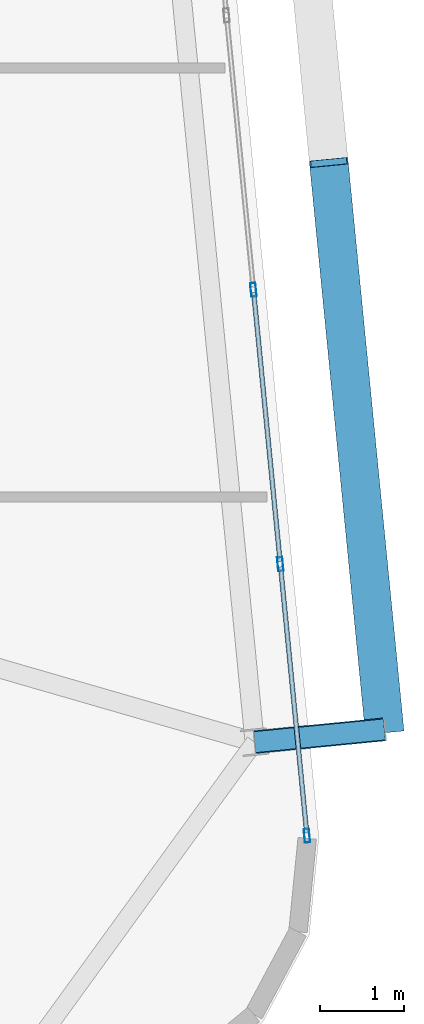
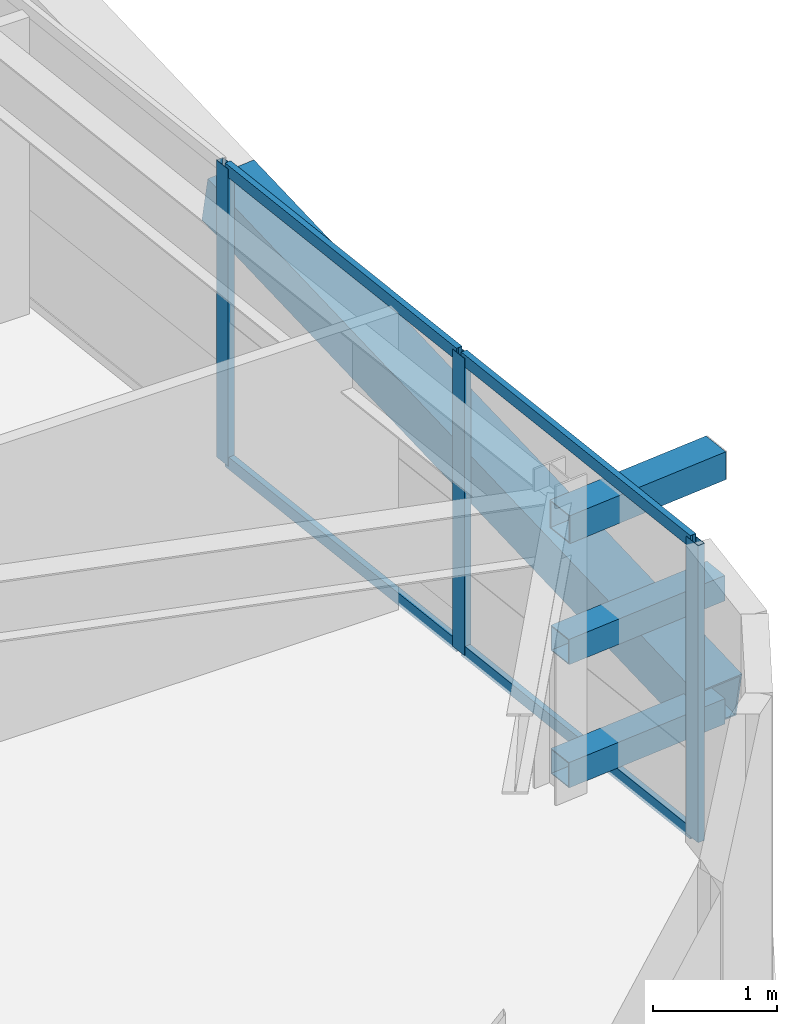
# One storey, part 22 of 53: 11 members, 1 element without a shape of its own.
"""IFC4 building model written with IfcOpenShell, lengths in metres."""

from ifc_helpers import new_model, si_unit, direction, frame, origin, origin_2d, place, context, subcontext, project, spatial, hollow_rectangle, extrude, source, transform, mapped, material, layer, layer_set, material_profile, profile_set, type_object, element, aggregate, save


model = new_model("IFC4")

# Units and contexts
model_context = context("Model", 3, precision=1e-05, world=origin(), true_north=direction((0.0, 1.0)))
body_context = subcontext(model_context, "Body", "Model", "MODEL_VIEW")
ifc_project = project(units=[si_unit("LENGTHUNIT", "METRE"), si_unit("AREAUNIT", "SQUARE_METRE"), si_unit("VOLUMEUNIT", "CUBIC_METRE"), si_unit("PLANEANGLEUNIT", "RADIAN"), si_unit("MASSUNIT", "GRAM", prefix="KILO")], contexts=[model_context])

# Site, building, storey
site_placement = place(None, origin())
site = spatial("IfcSite", under=ifc_project, at=site_placement, CompositionType="ELEMENT")
building_placement = place(site_placement, origin())
building = spatial("IfcBuilding", under=site, at=building_placement, Name="Taldren Reach Tower", CompositionType="ELEMENT")
storey_placement = place(building_placement, frame((0.0, 0.0, 68.25)))
storey = spatial("IfcBuildingStorey", under=building, at=storey_placement, Name="L20", CompositionType="ELEMENT", Elevation=68.25)

# Members
ifc_material_1 = material(Name="Steel Gr 450 (C450L0)", Category="steel")
ifc_material_profile_1 = material_profile(ifc_material_1, hollow_rectangle(XDim=0.27490234375, YDim=0.27490234375, WallThickness=0.00927734375, at=origin_2d()), Name="275x275x9.3SHS")
ifc_profile_set_1 = profile_set([ifc_material_profile_1], Name="Steel Gr 450 (C450L0)")
member_type_1 = type_object("IfcMemberType", Name="MB-TIE273", PredefinedType="STRUT", material=ifc_profile_set_1)
shared_shape_1 = source(origin(), body_context, "Body", "SweptSolid", [
    extrude(hollow_rectangle(XDim=0.27490234375, YDim=0.27490234375, WallThickness=0.00927734375, at=origin_2d()), origin(), (0.0, 0.0, 1.0), 1.550048828125),
])
member_1_placement = place(storey_placement, frame((65.8916015625, 8.483642578125, 2.64990234375), z_axis=(0.995236318924, 0.097491894511, 0.0), x_axis=(-0.097491894511, 0.995236318924, 0.0)))
element("IfcMember", 1, at=member_1_placement, inside=storey, type_object=member_type_1, Name="Exoskeleton diaphragm tie strut B2-E1 L20", PredefinedType="STRUT", context=body_context, shape_type="MappedRepresentation", body=[
    mapped(shared_shape_1, transform((0.0, 0.0, 0.0), scale=1.0)),
])
ifc_material_2 = material(Name="Steel Gr 350 (C350L0)", Category="steel")
ifc_material_profile_2 = material_profile(ifc_material_2, hollow_rectangle(XDim=0.25, YDim=0.25, WallThickness=0.010009765625, at=origin_2d()), Name="250x250x10.0SHS")
ifc_profile_set_2 = profile_set([ifc_material_profile_2], Name="Steel Gr 350 (C350L0)")
member_type_2 = type_object("IfcMemberType", Name="MB-POST250", PredefinedType="POST", material=ifc_profile_set_2)
shared_shape_2 = source(origin(), body_context, "Body", "SweptSolid", [
    extrude(hollow_rectangle(XDim=0.25, YDim=0.25, WallThickness=0.010009765625, at=origin_2d()), origin(), (0.0, 0.0, 1.0), 1.550048828125),
])
for number, where, z_axis, x_axis, name in (
    (2, (65.8916015625, 8.483642578125, 0.219970703125), (0.995236318924, 0.097491894511, 0.0), (-0.097491894511, 0.995236318924, 0.0), "Exoskeleton base diaphragm tie strut B2-E1 L20"),
    (3, (65.8916015625, 8.483642578125, 1.43505859375), (0.995236318924, 0.097491894511, 0.0), (-0.097491894511, 0.995236318924, 0.0), "Exoskeleton mid-tier diaphragm tie B2-E1 L20"),
):
    element("IfcMember", number, at=place(storey_placement, frame(where, z_axis=z_axis, x_axis=x_axis)), inside=storey, type_object=member_type_2, Name=name, PredefinedType="POST", context=body_context, shape_type="MappedRepresentation", body=[
        mapped(shared_shape_2, transform((0.0, 0.0, 0.0), scale=1.0)),
    ])
ifc_material_profile_3 = material_profile(ifc_material_1, hollow_rectangle(XDim=0.4599609375, YDim=0.4599609375, WallThickness=0.01611328125, at=origin_2d()), Name="460x460x16.0SHS")
ifc_profile_set_3 = profile_set([ifc_material_profile_3], Name="Steel Gr 450 (C450L0)")
member_type_3 = type_object("IfcMemberType", Name="MB-EXO457", PredefinedType="BRACE", material=ifc_profile_set_3)
shared_shape_3 = source(origin(), body_context, "Body", "SweptSolid", [
    extrude(hollow_rectangle(XDim=0.4599609375, YDim=0.4599609375, WallThickness=0.01611328125, at=origin_2d()), origin(), (0.0, 0.0, 1.0), 6.883056640625),
])
member_2_placement = place(storey_placement, frame((67.434326171875, 8.634765625, 0.219970703125), z_axis=(-0.09605145821, 0.97959718347, 0.176531797456), x_axis=(-0.995227290009, -0.097584021339, 0.0)))
element("IfcMember", 4, at=member_2_placement, inside=storey, type_object=member_type_3, Name="Exoskeleton Diagrid Brace B2-E1 L20", PredefinedType="BRACE", context=body_context, shape_type="MappedRepresentation", body=[
    mapped(shared_shape_3, transform((0.0, 0.0, 0.0), scale=1.0)),
])

# Curtain wall, members
ifc_material_3 = material(Name="Aluminium and Low-E Glass Unitised System", Category="aluminium")
ifc_layer = layer(ifc_material_3, 0.159912109375)
ifc_layer_set = layer_set([ifc_layer], Name="Aluminium and Low-E Glass Unitised System")
curtain_wall_type = type_object("IfcCurtainWallType", Name="CW-SYS-3", PredefinedType="NOTDEFINED", material=ifc_layer_set)
curtain_wall_placement = place(storey_placement, origin())
curtain_wall = element("IfcCurtainWall", 5, at=curtain_wall_placement, inside=storey, type_object=curtain_wall_type, Name="Unitised curtain wall CW-L20-E", PredefinedType="NOTDEFINED")
ifc_material_4 = material(Name="Anodised Aluminium 6063-T6", Category="aluminium")
ifc_material_profile_4 = material_profile(ifc_material_4, hollow_rectangle(XDim=0.06494140625, YDim=0.1650390625, WallThickness=0.00390625, at=origin_2d()), Name="ALU-165x65x4RHS")
ifc_profile_set_4 = profile_set([ifc_material_profile_4], Name="Anodised Aluminium 6063-T6")
member_type_4 = type_object("IfcMemberType", Name="CW-MUL-165", PredefinedType="MULLION", material=ifc_profile_set_4)
shared_shape_4 = source(origin(), body_context, "Body", "SweptSolid", [
    extrude(hollow_rectangle(XDim=0.06494140625, YDim=0.1650390625, WallThickness=0.00390625, at=origin_2d()), origin(), (0.0, 0.0, 1.0), 2.929931640625),
])
member_3_placement = place(storey_placement, frame((66.51318359375, 7.371337890625, 0.0), z_axis=(0.0, 0.0, 1.0), x_axis=(-0.99522741555, -0.09758274098, 0.0)))
member_3 = element("IfcMember", 6, at=member_3_placement, type_object=member_type_4, Name="CW-3 mullion 1", PredefinedType="MULLION", context=body_context, shape_type="MappedRepresentation", body=[
    mapped(shared_shape_4, transform((0.0, 0.0, 0.0), scale=1.0)),
])
member_4_placement = place(storey_placement, frame((66.196533203125, 10.60107421875, 0.0), z_axis=(0.0, 0.0, 1.0), x_axis=(-0.99522741555, -0.09758274098, 0.0)))
member_4 = element("IfcMember", 7, at=member_4_placement, type_object=member_type_4, Name="CW-3 mullion 2", PredefinedType="MULLION", context=body_context, shape_type="MappedRepresentation", body=[
    mapped(shared_shape_4, transform((0.0, 0.0, 0.0), scale=1.0)),
])
member_5_placement = place(storey_placement, frame((65.876708984375, 13.86328125, 0.0), z_axis=(0.0, 0.0, 1.0), x_axis=(-0.99522741555, -0.09758274098, 0.0)))
member_5 = element("IfcMember", 8, at=member_5_placement, type_object=member_type_4, Name="CW-3 mullion 3", PredefinedType="MULLION", context=body_context, shape_type="MappedRepresentation", body=[
    mapped(shared_shape_4, transform((0.0, 0.0, 0.0), scale=1.0)),
])
ifc_material_profile_5 = material_profile(ifc_material_4, hollow_rectangle(XDim=0.054931640625, YDim=0.1201171875, WallThickness=0.0029296875, at=origin_2d()), Name="ALU-120x55x3RHS")
ifc_profile_set_5 = profile_set([ifc_material_profile_5], Name="Anodised Aluminium 6063-T6")
member_type_5 = type_object("IfcMemberType", Name="CW-TRN-135", PredefinedType="USERDEFINED", material=ifc_profile_set_5)
shared_shape_5 = source(origin(), body_context, "Body", "SweptSolid", [
    extrude(hollow_rectangle(XDim=0.054931640625, YDim=0.1201171875, WallThickness=0.0029296875, at=origin_2d()), origin(), (0.0, 0.0, 1.0), 3.18017578125),
])
member_6_placement = place(storey_placement, frame((66.510009765625, 7.40380859375, 0.027587890625), z_axis=(-0.097572914968, 0.995228378949, 0.0), x_axis=(-0.995228378949, -0.097572914968, 0.0)))
member_6 = element("IfcMember", 9, at=member_6_placement, type_object=member_type_5, Name="CW-3 transom 1.1", ObjectType="TRANSOM", PredefinedType="USERDEFINED", context=body_context, shape_type="MappedRepresentation", body=[
    mapped(shared_shape_5, transform((0.0, 0.0, 0.0), scale=1.0)),
])
member_7_placement = place(storey_placement, frame((66.510009765625, 7.40380859375, 2.902587890625), z_axis=(-0.097572914968, 0.995228378949, 0.0), x_axis=(-0.995228378949, -0.097572914968, 0.0)))
member_7 = element("IfcMember", 10, at=member_7_placement, type_object=member_type_5, Name="CW-3 transom 1.2", ObjectType="TRANSOM", PredefinedType="USERDEFINED", context=body_context, shape_type="MappedRepresentation", body=[
    mapped(shared_shape_5, transform((0.0, 0.0, 0.0), scale=1.0)),
])
shared_shape_6 = source(origin(), body_context, "Body", "SweptSolid", [
    extrude(hollow_rectangle(XDim=0.054931640625, YDim=0.1201171875, WallThickness=0.0029296875, at=origin_2d()), origin(), (0.0, 0.0, 1.0), 3.212890625),
])
member_8_placement = place(storey_placement, frame((66.193359375, 10.633544921875, 0.027587890625), z_axis=(-0.097569948235, 0.995228669805, 0.0), x_axis=(-0.995228669805, -0.097569948235, 0.0)))
member_8 = element("IfcMember", 11, at=member_8_placement, type_object=member_type_5, Name="CW-3 transom 2.1", ObjectType="TRANSOM", PredefinedType="USERDEFINED", context=body_context, shape_type="MappedRepresentation", body=[
    mapped(shared_shape_6, transform((0.0, 0.0, 0.0), scale=1.0)),
])
member_9_placement = place(storey_placement, frame((66.193359375, 10.633544921875, 2.902587890625), z_axis=(-0.097569948235, 0.995228669805, 0.0), x_axis=(-0.995228669805, -0.097569948235, 0.0)))
member_9 = element("IfcMember", 12, at=member_9_placement, type_object=member_type_5, Name="CW-3 transom 2.2", ObjectType="TRANSOM", PredefinedType="USERDEFINED", context=body_context, shape_type="MappedRepresentation", body=[
    mapped(shared_shape_6, transform((0.0, 0.0, 0.0), scale=1.0)),
])
aggregate(curtain_wall, [member_3, member_4, member_5, member_6, member_7, member_8, member_9])

save(model, "model.ifc")
